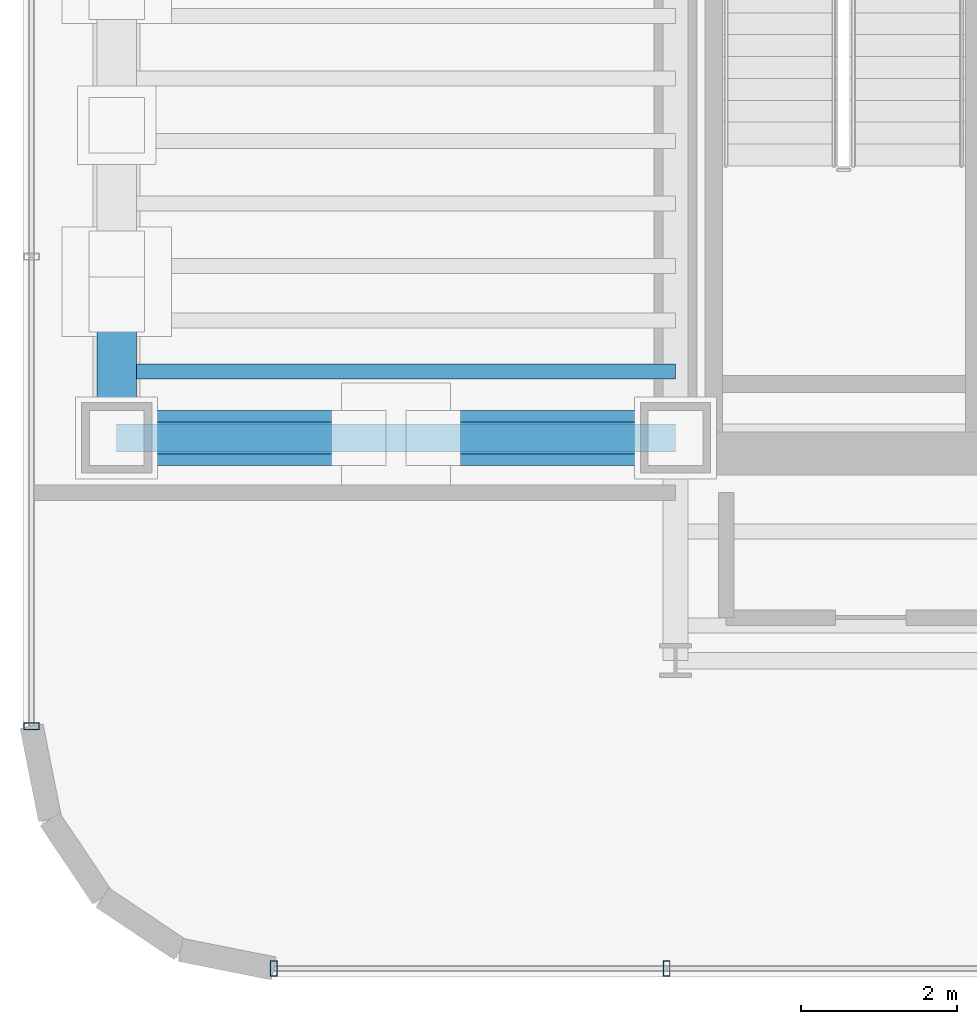
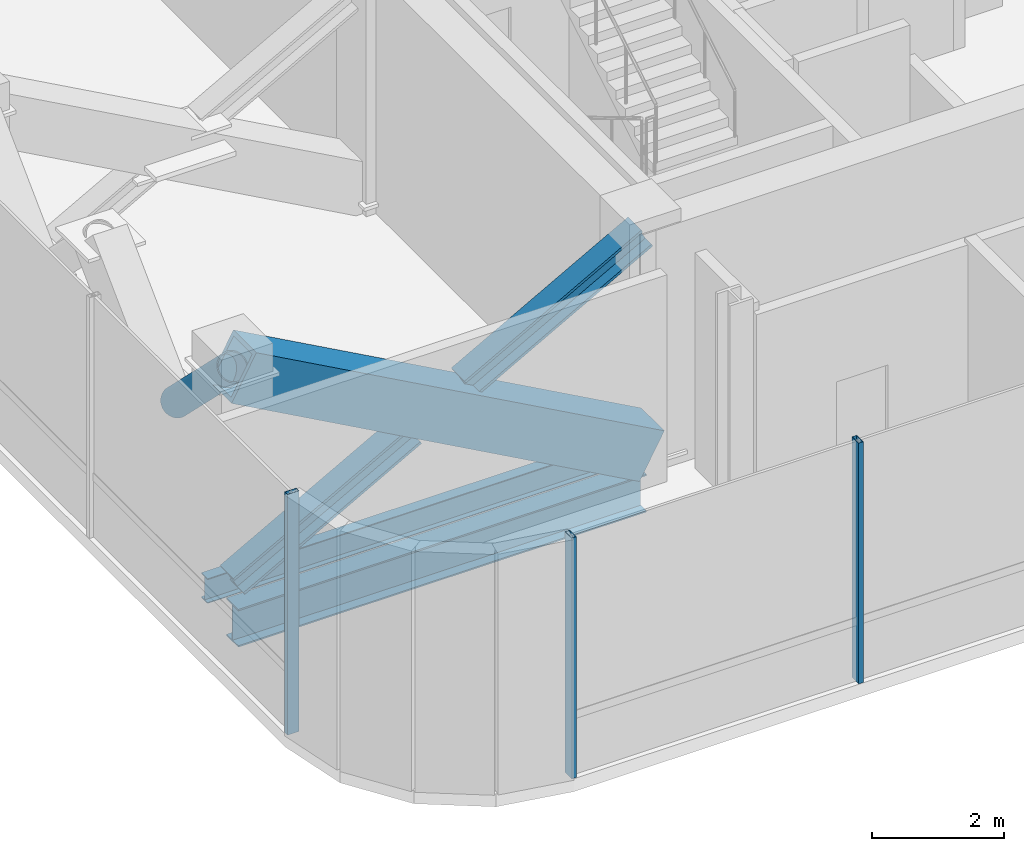
# One storey, part 2 of 20: 7 members, 2 beams, 2 elements without a shape of their own.
"""IFC4 building model written with IfcOpenShell, lengths in metres."""

from ifc_helpers import new_model, si_unit, direction, frame, origin, origin_2d, place, context, subcontext, project, spatial, hollow_rectangle, hollow_circle, i_section, extrude, source, transform, mapped, material, material_profile, profile_set, type_object, element, aggregate, save


model = new_model("IFC4")

# Units and contexts
model_context = context("Model", 3, precision=1e-05, world=origin(), true_north=direction((0.0, 1.0)))
body_context = subcontext(model_context, "Body", "Model", "MODEL_VIEW")
ifc_project = project(units=[si_unit("LENGTHUNIT", "METRE"), si_unit("AREAUNIT", "SQUARE_METRE"), si_unit("VOLUMEUNIT", "CUBIC_METRE"), si_unit("PLANEANGLEUNIT", "RADIAN"), si_unit("MASSUNIT", "GRAM", prefix="KILO")], contexts=[model_context])

# Site, building, storey
site_placement = place(None, origin())
site = spatial("IfcSite", under=ifc_project, at=site_placement, CompositionType="ELEMENT")
building_placement = place(site_placement, origin())
building = spatial("IfcBuilding", under=site, at=building_placement, Name="Valdorenza Pilgrim Sanctuary Tower", CompositionType="ELEMENT")
storey_placement = place(building_placement, frame((0.0, 0.0, 196.300048828125)))
storey = spatial("IfcBuildingStorey", under=building, at=storey_placement, Name="L50", CompositionType="ELEMENT", Elevation=196.300048828125)

# Beams
ifc_material_1 = material(Name="Steel ASTM A992 Grade 50", Category="steel")
ifc_material_profile_1 = material_profile(ifc_material_1, i_section(OverallWidth=0.19091796875, OverallDepth=0.45703125, WebThickness=0.009033203125, FlangeThickness=0.014404296875, at=origin_2d()), Name="W18X50")
ifc_profile_set_1 = profile_set([ifc_material_profile_1], Name="Steel ASTM A992 Grade 50")
beam_type_1 = type_object("IfcBeamType", Name="STR-BM-JST-W18B", PredefinedType="JOIST", material=ifc_profile_set_1)
shared_shape_1 = source(origin(), body_context, "Body", "SweptSolid", [
    extrude(i_section(OverallWidth=0.19091796875, OverallDepth=0.45703125, WebThickness=0.009033203125, FlangeThickness=0.014404296875, at=origin_2d()), origin(), (0.0, 0.0, 1.0), 7.150146484375),
])
beam_1_placement = place(storey_placement, frame((-29.800048828125, -9.75, -0.468505859375), z_axis=(1.0, 0.0, 0.0), x_axis=(0.0, 1.0, 0.0)))
element("IfcBeam", 1, at=beam_1_placement, inside=storey, type_object=beam_type_1, Name="L50 Composite Floor Joist JST-WA-1", PredefinedType="JOIST", context=body_context, shape_type="MappedRepresentation", body=[
    mapped(shared_shape_1, transform((0.0, 0.0, 0.0), x_axis=(1.0, 0.0, 0.0), y_axis=(0.0, 1.0, 0.0), z_axis=(0.0, 0.0, 1.0), scale=1.0)),
])
ifc_material_profile_2 = material_profile(ifc_material_1, i_section(OverallWidth=0.35595703125, OverallDepth=0.700927734375, WebThickness=0.016845703125, FlangeThickness=0.02734375, at=origin_2d()), Name="W27X161")
ifc_profile_set_2 = profile_set([ifc_material_profile_2], Name="Steel ASTM A992 Grade 50")
beam_type_2 = type_object("IfcBeamType", Name="STR-BM-GRD-W27", PredefinedType="BEAM", material=ifc_profile_set_2)
shared_shape_2 = source(origin(), body_context, "Body", "SweptSolid", [
    extrude(i_section(OverallWidth=0.35595703125, OverallDepth=0.700927734375, WebThickness=0.016845703125, FlangeThickness=0.02734375, at=origin_2d()), origin(), (0.0, 0.0, 1.0), 7.150146484375),
])
beam_2_placement = place(storey_placement, frame((-29.800048828125, -10.60009765625, -0.590576171875), z_axis=(1.0, 0.0, 0.0), x_axis=(0.0, 1.0, 0.0)))
element("IfcBeam", 2, at=beam_2_placement, inside=storey, type_object=beam_type_2, Name="L50 Floor Girder WA-XW-S1", PredefinedType="BEAM", context=body_context, shape_type="MappedRepresentation", body=[
    mapped(shared_shape_2, transform((0.0, 0.0, 0.0), x_axis=(1.0, 0.0, 0.0), y_axis=(0.0, 1.0, 0.0), z_axis=(0.0, 0.0, 1.0), scale=1.0)),
])

# Members
ifc_material_2 = material(Name="Steel ASTM A572 Grade 42", Category="steel")
ifc_material_profile_3 = material_profile(ifc_material_2, hollow_rectangle(XDim=0.699951171875, YDim=0.89990234375, WallThickness=0.070068359375, at=origin_2d()), Name="BOX 900x700x70")
ifc_profile_set_3 = profile_set([ifc_material_profile_3], Name="Steel ASTM A572 Grade 42")
member_type_1 = type_object("IfcMemberType", Name="STR-MB-OUT-BOX900", PredefinedType="BRACE", material=ifc_profile_set_3)
shared_shape_3 = source(origin(), body_context, "Body", "SweptSolid", [
    extrude(hollow_rectangle(XDim=0.699951171875, YDim=0.89990234375, WallThickness=0.070068359375, at=origin_2d()), origin(), (0.0, 0.0, 1.0), 8.168701171875),
])
member_1_placement = place(storey_placement, frame((-22.64990234375, -10.60009765625, 0.199951171875), z_axis=(-0.875316441989, 0.0, 0.483550541706), x_axis=(0.0, -1.0, 0.0)))
element("IfcMember", 3, at=member_1_placement, inside=storey, type_object=member_type_1, Name="L50 Outrigger Truss Diagonal WA1A", PredefinedType="BRACE", context=body_context, shape_type="MappedRepresentation", body=[
    mapped(shared_shape_3, transform((0.0, 0.0, 0.0), x_axis=(1.0, 0.0, 0.0), y_axis=(0.0, 1.0, 0.0), z_axis=(0.0, 0.0, 1.0), scale=1.0)),
])
ifc_material_profile_4 = material_profile(ifc_material_1, i_section(OverallWidth=0.406005859375, OverallDepth=0.416015625, WebThickness=0.02978515625, FlangeThickness=0.048095703125, at=origin_2d()), Name="W14X257")
ifc_profile_set_4 = profile_set([ifc_material_profile_4], Name="Steel ASTM A992 Grade 50")
member_type_2 = type_object("IfcMemberType", Name="STR-MB-OUT-W257", PredefinedType="BRACE", material=ifc_profile_set_4)
shared_shape_4 = source(origin(), body_context, "Body", "SweptSolid", [
    extrude(i_section(OverallWidth=0.406005859375, OverallDepth=0.416015625, WebThickness=0.02978515625, FlangeThickness=0.048095703125, at=origin_2d()), origin(), (0.0, 0.0, 1.0), 3.540771484375),
])
for number, where, z_axis, x_axis, name in (
    (4, (-22.64990234375, -10.60009765625, 4.14990234375), (-0.875319106546, 0.0, -0.483545718331), (0.0, -1.0, 0.0), "L50 Outrigger Truss Counter-Diagonal WA1B Lower Segment"),
    (5, (-26.70068359375, -10.60009765625, 1.912109375), (-0.875319106546, 0.0, -0.483545718331), (0.0, -1.0, 0.0), "L50 Outrigger Truss Counter-Diagonal WA1B Upper Segment"),
):
    element("IfcMember", number, at=place(storey_placement, frame(where, z_axis=z_axis, x_axis=x_axis)), inside=storey, type_object=member_type_2, Name=name, PredefinedType="BRACE", context=body_context, shape_type="MappedRepresentation", body=[
        mapped(shared_shape_4, transform((0.0, 0.0, 0.0), x_axis=(1.0, 0.0, 0.0), y_axis=(0.0, 1.0, 0.0), z_axis=(0.0, 0.0, 1.0), scale=1.0)),
    ])
ifc_material_3 = material(Name="Steel S355J2", Category="steel")
ifc_material_profile_5 = material_profile(ifc_material_3, hollow_circle(Radius=0.25390625, WallThickness=0.02001953125, at=origin_2d()), Name="CHS 508x20")
ifc_profile_set_5 = profile_set([ifc_material_profile_5], Name="Steel S355J2")
member_type_3 = type_object("IfcMemberType", Name="STR-MB-CHS-508", PredefinedType="STRUT", material=ifc_profile_set_5)
shared_shape_5 = source(origin(), body_context, "Body", "SweptSolid", [
    extrude(hollow_circle(Radius=0.25390625, WallThickness=0.02001953125, at=origin_2d()), origin(), (0.0, 0.0, 1.0), 2.398681640625),
])
member_2_placement = place(storey_placement, frame((-29.800048828125, -10.60009765625, 4.14990234375), z_axis=(0.0, 0.711520203228, -0.702665639119), x_axis=(-1.0, 0.0, 0.0)))
element("IfcMember", 6, at=member_2_placement, inside=storey, type_object=member_type_3, Name="L50 Perimeter Counter-Belt Strut CW1 Lower Segment", PredefinedType="STRUT", context=body_context, shape_type="MappedRepresentation", body=[
    mapped(shared_shape_5, transform((0.0, 0.0, 0.0), x_axis=(1.0, 0.0, 0.0), y_axis=(0.0, 1.0, 0.0), z_axis=(0.0, 0.0, 1.0), scale=1.0)),
])

# Curtain wall, member
ifc_material_4 = material(Name="Curtain-wall IGU glazing", Category="glass")
curtain_wall_type = type_object("IfcCurtainWallType", Name="CW-SYS-02", PredefinedType="NOTDEFINED", material=ifc_material_4)
curtain_wall_1_placement = place(storey_placement, origin())
curtain_wall_1 = element("IfcCurtainWall", 7, at=curtain_wall_1_placement, inside=storey, type_object=curtain_wall_type, Name="L50 Curtain Wall CW-L50-1-1", PredefinedType="NOTDEFINED")
ifc_material_5 = material(Name="Anodised aluminium AW-6060", Category="aluminium")
ifc_material_profile_6 = material_profile(ifc_material_5, hollow_rectangle(XDim=0.0849609375, YDim=0.199951171875, WallThickness=0.0048828125, at=origin_2d()), Name="ALU-M 200x85x5")
ifc_profile_set_6 = profile_set([ifc_material_profile_6], Name="Anodised aluminium AW-6060")
member_type_4 = type_object("IfcMemberType", Name="CW-MUL-02", PredefinedType="MULLION", material=ifc_profile_set_6)
shared_shape_6 = source(origin(), body_context, "Body", "SweptSolid", [
    extrude(hollow_rectangle(XDim=0.0849609375, YDim=0.199951171875, WallThickness=0.0048828125, at=origin_2d()), origin(), (0.0, 0.0, 1.0), 4.4599609375),
])
member_3_placement = place(storey_placement, frame((-30.889892578125, -14.289306640625, 0.0), z_axis=(0.0, 0.0, 1.0), x_axis=(0.0, 1.0, 0.0)))
member_3 = element("IfcMember", 8, at=member_3_placement, type_object=member_type_4, Name="CW-L50-1-1 Mullion 1", PredefinedType="MULLION", context=body_context, shape_type="MappedRepresentation", body=[
    mapped(shared_shape_6, transform((0.0, 0.0, 0.0), x_axis=(1.0, 0.0, 0.0), y_axis=(0.0, 1.0, 0.0), z_axis=(0.0, 0.0, 1.0), scale=1.0)),
])
aggregate(curtain_wall_1, [member_3])

# Curtain wall, members
curtain_wall_2_placement = place(storey_placement, origin())
curtain_wall_2 = element("IfcCurtainWall", 9, at=curtain_wall_2_placement, inside=storey, type_object=curtain_wall_type, Name="L50 Curtain Wall CW-L50-1-26", PredefinedType="NOTDEFINED")
member_4_placement = place(storey_placement, frame((-22.76318359375, -17.389892578125, 0.0), z_axis=(0.0, 0.0, 1.0), x_axis=(-1.0, 0.0, 0.0)))
member_4 = element("IfcMember", 10, at=member_4_placement, type_object=member_type_4, Name="CW-L50-1-26 Mullion 3", PredefinedType="MULLION", context=body_context, shape_type="MappedRepresentation", body=[
    mapped(shared_shape_6, transform((0.0, 0.0, 0.0), x_axis=(1.0, 0.0, 0.0), y_axis=(0.0, 1.0, 0.0), z_axis=(0.0, 0.0, 1.0), scale=1.0)),
])
member_5_placement = place(storey_placement, frame((-27.789306640625, -17.389892578125, 0.0), z_axis=(0.0, 0.0, 1.0), x_axis=(-1.0, 0.0, 0.0)))
member_5 = element("IfcMember", 11, at=member_5_placement, type_object=member_type_4, Name="CW-L50-1-26 Mullion 4", PredefinedType="MULLION", context=body_context, shape_type="MappedRepresentation", body=[
    mapped(shared_shape_6, transform((0.0, 0.0, 0.0), x_axis=(1.0, 0.0, 0.0), y_axis=(0.0, 1.0, 0.0), z_axis=(0.0, 0.0, 1.0), scale=1.0)),
])
aggregate(curtain_wall_2, [member_4, member_5])

save(model, "model.ifc")
